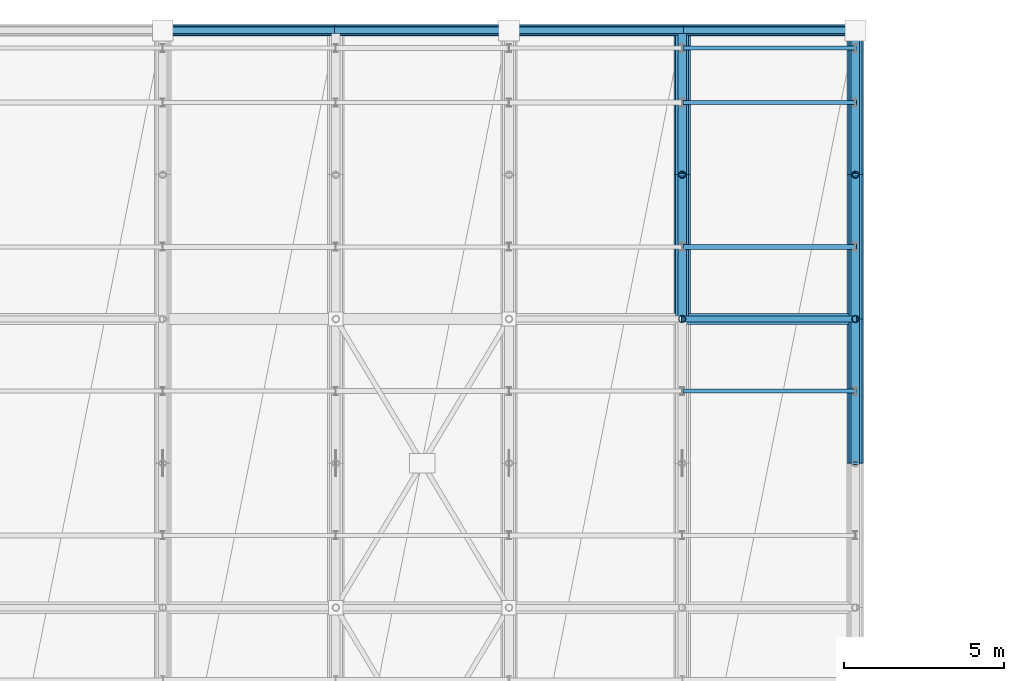
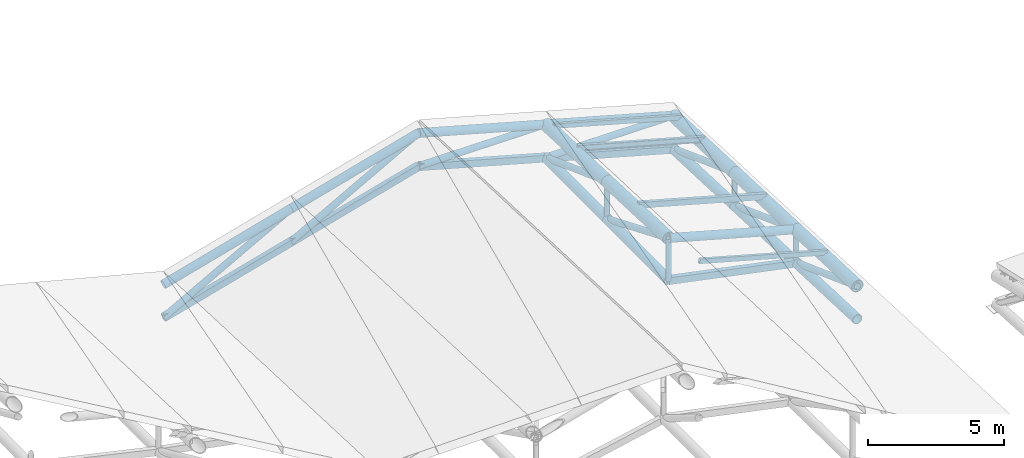
# One storey, part 52 of 109: 27 members, 10 beams.
"""IFC4 building model written with IfcOpenShell, lengths in metres."""

from ifc_helpers import new_model, si_unit, direction, frame, origin, origin_2d, place, context, subcontext, project, spatial, hollow_rectangle, hollow_circle, i_section, extrude, material, material_profile, profile_set, type_object, element, save


model = new_model("IFC4")

# Units and contexts
model_context = context("Model", 3, precision=1e-05, world=origin(), true_north=direction((0.0, 1.0)))
body_context = subcontext(model_context, "Body", "Model", "MODEL_VIEW")
ifc_project = project(units=[si_unit("LENGTHUNIT", "METRE"), si_unit("AREAUNIT", "SQUARE_METRE"), si_unit("VOLUMEUNIT", "CUBIC_METRE"), si_unit("PLANEANGLEUNIT", "RADIAN"), si_unit("MASSUNIT", "GRAM", prefix="KILO")], contexts=[model_context])

# Site, building, storey
site_placement = place(None, origin())
site = spatial("IfcSite", under=ifc_project, at=site_placement, CompositionType="ELEMENT")
building_placement = place(site_placement, origin())
building = spatial("IfcBuilding", under=site, at=building_placement, Name="Suirenkawa Promenade Aquatics Centre", CompositionType="ELEMENT")
storey_placement = place(building_placement, frame((0.0, 0.0, 22.800048828125)))
storey = spatial("IfcBuildingStorey", under=building, at=storey_placement, Name="ROOF", CompositionType="ELEMENT", Elevation=22.800048828125)

# Beams
ifc_material = material(Name="Steel IS 2062 E350 (Grade 350)", Category="steel")
ifc_material_profile_1 = material_profile(ifc_material, hollow_circle(Radius=0.202880859375, WallThickness=0.01806640625, at=origin_2d()), Name="CHS 406x18", Category="steel")
ifc_profile_set_1 = profile_set([ifc_material_profile_1], Name="Steel IS 2062 E350 (Grade 350)")
beam_type_1 = type_object("IfcBeamType", Name="BT-BC-CHS406", PredefinedType="BEAM", material=ifc_profile_set_1)
for number, where, z_axis, x_axis, name in (
    (1, (149.39990234375, 113.39990234375, -10.31103515625), (0.0, 0.999997019781, 0.002441398974), (-1.0, 0.0, 0.0), "ROOF TRUSS V1 bottom chord BC-01 BM-2364"),
    (2, (149.39990234375, 117.89990234375, -10.300048828125), (0.0, 0.999990104304, 0.004448740698), (-1.0, 0.0, 0.0), "ROOF TRUSS V1 bottom chord BC-01 BM-2366"),
):
    element("IfcBeam", number, at=place(storey_placement, frame(where, z_axis=z_axis, x_axis=x_axis)), inside=storey, type_object=beam_type_1, Name=name, PredefinedType="BEAM", context=body_context, shape_type="SweptSolid", body=[
        extrude(hollow_circle(Radius=0.202880859375, WallThickness=0.01806640625, at=origin_2d()), origin(), (0.0, 0.0, 1.0), 4.5),
    ])
for number, where, z_axis, x_axis, name in (
    (3, (154.800048828125, 108.89990234375, -11.22998046875), (0.0, 0.999173184279, -0.040656460949), (-1.0, 0.0, 0.0), "ROOF TRUSS V1 bottom chord BC-01 BM-2390"),
    (4, (154.800048828125, 113.39990234375, -11.4130859375), (0.0, 0.999164352475, -0.040872934124), (-1.0, 0.0, 0.0), "ROOF TRUSS V1 bottom chord BC-01 BM-2392"),
    (5, (154.800048828125, 117.89990234375, -11.59716796875), (0.0, 0.999175384927, -0.040602341759), (-1.0, 0.0, 0.0), "ROOF TRUSS V1 bottom chord BC-01 BM-2394"),
):
    element("IfcBeam", number, at=place(storey_placement, frame(where, z_axis=z_axis, x_axis=x_axis)), inside=storey, type_object=beam_type_1, Name=name, PredefinedType="BEAM", context=body_context, shape_type="SweptSolid", body=[
        extrude(hollow_circle(Radius=0.202880859375, WallThickness=0.01806640625, at=origin_2d()), origin(), (0.0, 0.0, 1.0), 4.503662109375),
    ])
ifc_material_profile_2 = material_profile(ifc_material, hollow_circle(Radius=0.25390625, WallThickness=0.02392578125, at=origin_2d()), Name="CHS 508x24", Category="steel")
ifc_profile_set_2 = profile_set([ifc_material_profile_2], Name="Steel IS 2062 E350 (Grade 350)")
beam_type_2 = type_object("IfcBeamType", Name="BT-TC-CHS508", PredefinedType="BEAM", material=ifc_profile_set_2)
for number, where, z_axis, x_axis, name in (
    (6, (149.39990234375, 113.39990234375, -8.43310546875), (0.0, 0.999166564808, -0.040818816368), (-1.0, 0.0, 0.0), "ROOF TRUSS V1 top chord TC-02 BM-2363"),
    (7, (149.39990234375, 117.89990234375, -8.616943359375), (0.0, 0.999173184279, -0.040656460949), (-1.0, 0.0, 0.0), "ROOF TRUSS V1 top chord TC-02 BM-2365"),
    (8, (154.800048828125, 108.89990234375, -9.75), (0.0, 0.999173184279, -0.040656460949), (-1.0, 0.0, 0.0), "ROOF TRUSS V1 top chord TC-02 BM-2389"),
    (9, (154.800048828125, 113.39990234375, -9.93310546875), (0.0, 0.999166564808, -0.040818816368), (-1.0, 0.0, 0.0), "ROOF TRUSS V1 top chord TC-02 BM-2391"),
    (10, (154.800048828125, 117.89990234375, -10.116943359375), (0.0, 0.999173184279, -0.040656460949), (-1.0, 0.0, 0.0), "ROOF TRUSS V1 top chord TC-02 BM-2393"),
):
    element("IfcBeam", number, at=place(storey_placement, frame(where, z_axis=z_axis, x_axis=x_axis)), inside=storey, type_object=beam_type_2, Name=name, PredefinedType="BEAM", context=body_context, shape_type="SweptSolid", body=[
        extrude(hollow_circle(Radius=0.25390625, WallThickness=0.02392578125, at=origin_2d()), origin(), (0.0, 0.0, 1.0), 4.503662109375),
    ])

# Members
ifc_material_profile_3 = material_profile(ifc_material, hollow_circle(Radius=0.177978515625, WallThickness=0.01611328125, at=origin_2d()), Name="CHS 356x16", Category="steel")
ifc_profile_set_3 = profile_set([ifc_material_profile_3], Name="Steel IS 2062 E350 (Grade 350)")
member_type_1 = type_object("IfcMemberType", Name="MT-CHORD-CHS356", PredefinedType="CHORD", material=ifc_profile_set_3)
member_1_placement = place(storey_placement, frame((133.199951171875, 122.39990234375, -10.300048828125), z_axis=(0.963519781844, 0.0, 0.267637123724), x_axis=(0.0, 1.0, 0.0)))
element("IfcMember", 11, at=member_1_placement, inside=storey, type_object=member_type_1, Name="ROOF TRUSS V1 eave top chord CH-02 MB-0676", PredefinedType="CHORD", context=body_context, shape_type="SweptSolid", body=[
    extrude(hollow_circle(Radius=0.177978515625, WallThickness=0.01611328125, at=origin_2d()), origin(), (0.0, 0.0, 1.0), 5.6044921875),
])
for number, where, z_axis, x_axis, name in (
    (12, (138.60009765625, 122.39990234375, -8.800048828125), (0.963516661409, 0.0, 0.267648357342), (0.0, 1.0, 0.0), "ROOF TRUSS V1 eave top chord CH-02 MB-0679"),
    (13, (144.0, 122.39990234375, -7.300048828125), (0.963516661409, 0.0, -0.267648357342), (0.0, 1.0, 0.0), "ROOF TRUSS V1 eave top chord CH-02 MB-0682"),
):
    element("IfcMember", number, at=place(storey_placement, frame(where, z_axis=z_axis, x_axis=x_axis)), inside=storey, type_object=member_type_1, Name=name, PredefinedType="CHORD", context=body_context, shape_type="SweptSolid", body=[
        extrude(hollow_circle(Radius=0.177978515625, WallThickness=0.01611328125, at=origin_2d()), origin(), (0.0, 0.0, 1.0), 5.604248046875),
    ])
for number, where, z_axis, x_axis, name in (
    (14, (149.39990234375, 122.39990234375, -8.800048828125), (0.963519781844, 0.0, -0.267637123724), (0.0, 1.0, 0.0), "ROOF TRUSS V1 eave top chord CH-02 MB-0685"),
    (15, (149.39990234375, 113.39990234375, -8.43310546875), (0.963519781844, 0.0, -0.267637123724), (0.0, 1.0, 0.0), "ROOF TRUSS V1 tie chord CH-02 MB-0924"),
):
    element("IfcMember", number, at=place(storey_placement, frame(where, z_axis=z_axis, x_axis=x_axis)), inside=storey, type_object=member_type_1, Name=name, PredefinedType="CHORD", context=body_context, shape_type="SweptSolid", body=[
        extrude(hollow_circle(Radius=0.177978515625, WallThickness=0.01611328125, at=origin_2d()), origin(), (0.0, 0.0, 1.0), 5.6044921875),
    ])
ifc_material_profile_4 = material_profile(ifc_material, hollow_rectangle(XDim=0.199951171875, YDim=0.300048828125, WallThickness=0.011962890625, at=origin_2d()), Name="RHS 300x200x12", Category="steel")
ifc_profile_set_4 = profile_set([ifc_material_profile_4], Name="Steel IS 2062 E350 (Grade 350)")
member_type_2 = type_object("IfcMemberType", Name="MT-CHORD-RHS300", PredefinedType="CHORD", material=ifc_profile_set_4)
member_2_placement = place(storey_placement, frame((133.199951171875, 122.39990234375, -11.780029296875), z_axis=(0.963519781844, 0.0, 0.267637123724), x_axis=(0.0, 1.0, 0.0)))
element("IfcMember", 16, at=member_2_placement, inside=storey, type_object=member_type_2, Name="ROOF TRUSS V1 eave bottom chord CH-03 MB-0677", PredefinedType="CHORD", context=body_context, shape_type="SweptSolid", body=[
    extrude(hollow_rectangle(XDim=0.199951171875, YDim=0.300048828125, WallThickness=0.011962890625, at=origin_2d()), origin(), (0.0, 0.0, 1.0), 5.6044921875),
])
for number, where, z_axis, x_axis, name in (
    (17, (138.60009765625, 122.39990234375, -10.280029296875), (0.963516661409, 0.0, 0.267648357342), (0.0, 1.0, 0.0), "ROOF TRUSS V1 eave bottom chord CH-03 MB-0680"),
    (18, (144.0, 122.39990234375, -8.780029296875), (0.963516661409, 0.0, -0.267648357342), (0.0, 1.0, 0.0), "ROOF TRUSS V1 eave bottom chord CH-03 MB-0683"),
):
    element("IfcMember", number, at=place(storey_placement, frame(where, z_axis=z_axis, x_axis=x_axis)), inside=storey, type_object=member_type_2, Name=name, PredefinedType="CHORD", context=body_context, shape_type="SweptSolid", body=[
        extrude(hollow_rectangle(XDim=0.199951171875, YDim=0.300048828125, WallThickness=0.011962890625, at=origin_2d()), origin(), (0.0, 0.0, 1.0), 5.604248046875),
    ])
member_3_placement = place(storey_placement, frame((149.39990234375, 122.39990234375, -10.280029296875), z_axis=(0.963519781844, 0.0, -0.267637123724), x_axis=(0.0, 1.0, 0.0)))
element("IfcMember", 19, at=member_3_placement, inside=storey, type_object=member_type_2, Name="ROOF TRUSS V1 eave bottom chord CH-03 MB-0686", PredefinedType="CHORD", context=body_context, shape_type="SweptSolid", body=[
    extrude(hollow_rectangle(XDim=0.199951171875, YDim=0.300048828125, WallThickness=0.011962890625, at=origin_2d()), origin(), (0.0, 0.0, 1.0), 5.6044921875),
])
member_4_placement = place(storey_placement, frame((149.39990234375, 113.39990234375, -10.31103515625), z_axis=(0.979804767242, 0.0, -0.199956540501), x_axis=(0.0, 1.0, 0.0)))
element("IfcMember", 20, at=member_4_placement, inside=storey, type_object=member_type_2, Name="ROOF TRUSS V1 bottom tie CH-03 MB-0925", PredefinedType="CHORD", context=body_context, shape_type="SweptSolid", body=[
    extrude(hollow_rectangle(XDim=0.199951171875, YDim=0.300048828125, WallThickness=0.011962890625, at=origin_2d()), origin(), (0.0, 0.0, 1.0), 5.511474609375),
])
ifc_material_profile_5 = material_profile(ifc_material, i_section(OverallWidth=0.125, OverallDepth=0.25, WebThickness=0.007080078125, FlangeThickness=0.012939453125, at=origin_2d()), Name="ISMB 250", Category="steel")
ifc_profile_set_5 = profile_set([ifc_material_profile_5], Name="Steel IS 2062 E350 (Grade 350)")
member_type_3 = type_object("IfcMemberType", Name="MT-PURLIN-ISMB250", PredefinedType="PURLIN", material=ifc_profile_set_5)
member_5_placement = place(storey_placement, frame((149.39990234375, 120.14990234375, -8.47998046875), z_axis=(0.963519781844, 0.0, -0.267637123724), x_axis=(0.0, 1.0, 0.0)))
element("IfcMember", 21, at=member_5_placement, inside=storey, type_object=member_type_3, Name="ROOF TRUSS Roof purlin PU-04 MB-2403", PredefinedType="PURLIN", context=body_context, shape_type="SweptSolid", body=[
    extrude(i_section(OverallWidth=0.125, OverallDepth=0.25, WebThickness=0.007080078125, FlangeThickness=0.012939453125, at=origin_2d()), origin(), (0.0, 0.0, 1.0), 5.6044921875),
])
ifc_material_profile_6 = material_profile(ifc_material, hollow_rectangle(XDim=0.1201171875, YDim=0.199951171875, WallThickness=0.008056640625, at=origin_2d()), Name="RHS 200x120x8", Category="steel")
ifc_profile_set_6 = profile_set([ifc_material_profile_6], Name="Steel IS 2062 E350 (Grade 350)")
member_type_4 = type_object("IfcMemberType", Name="MT-PURLIN-RHS200", PredefinedType="PURLIN", material=ifc_profile_set_6)
for number, where, z_axis, x_axis, name in (
    (22, (149.39990234375, 111.14990234375, -8.088134765625), (0.963519781844, 0.0, -0.267637123724), (0.0, 1.0, 0.0), "ROOF TRUSS Roof purlin PU-02 MB-2399"),
    (23, (149.39990234375, 121.85009765625, -8.524169921875), (0.963519781844, 0.0, -0.267637123724), (0.0, 1.0, 0.0), "ROOF TRUSS Roof purlin PU-02 MB-2405"),
):
    element("IfcMember", number, at=place(storey_placement, frame(where, z_axis=z_axis, x_axis=x_axis)), inside=storey, type_object=member_type_4, Name=name, PredefinedType="PURLIN", context=body_context, shape_type="SweptSolid", body=[
        extrude(hollow_rectangle(XDim=0.1201171875, YDim=0.199951171875, WallThickness=0.008056640625, at=origin_2d()), origin(), (0.0, 0.0, 1.0), 5.6044921875),
    ])
ifc_material_profile_7 = material_profile(ifc_material, hollow_rectangle(XDim=0.14990234375, YDim=0.25, WallThickness=0.010009765625, at=origin_2d()), Name="RHS 250x150x10", Category="steel")
ifc_profile_set_7 = profile_set([ifc_material_profile_7], Name="Steel IS 2062 E350 (Grade 350)")
member_type_5 = type_object("IfcMemberType", Name="MT-PURLIN-RHS250", PredefinedType="PURLIN", material=ifc_profile_set_7)
member_6_placement = place(storey_placement, frame((149.39990234375, 115.64990234375, -8.297119140625), z_axis=(0.963519781844, 0.0, -0.267637123724), x_axis=(0.0, 1.0, 0.0)))
element("IfcMember", 24, at=member_6_placement, inside=storey, type_object=member_type_5, Name="ROOF TRUSS Roof purlin PU-03 MB-2401", PredefinedType="PURLIN", context=body_context, shape_type="SweptSolid", body=[
    extrude(hollow_rectangle(XDim=0.14990234375, YDim=0.25, WallThickness=0.010009765625, at=origin_2d()), origin(), (0.0, 0.0, 1.0), 5.6044921875),
])
ifc_material_profile_8 = material_profile(ifc_material, hollow_circle(Radius=0.110107421875, WallThickness=0.010009765625, at=origin_2d()), Name="CHS 220x10", Category="steel")
ifc_profile_set_8 = profile_set([ifc_material_profile_8], Name="Steel IS 2062 E350 (Grade 350)")
member_type_6 = type_object("IfcMemberType", Name="MT-WEB-CHS220", PredefinedType="BRACE", material=ifc_profile_set_8)
member_7_placement = place(storey_placement, frame((149.39990234375, 113.39990234375, -10.31103515625), z_axis=(0.0, 0.0, 1.0), x_axis=(1.0, 0.0, 0.0)))
element("IfcMember", 25, at=member_7_placement, inside=storey, type_object=member_type_6, Name="ROOF TRUSS V1 web post TD-01 MB-0539", PredefinedType="BRACE", context=body_context, shape_type="SweptSolid", body=[
    extrude(hollow_circle(Radius=0.110107421875, WallThickness=0.010009765625, at=origin_2d()), origin(), (0.0, 0.0, 1.0), 1.8779296875),
])
member_8_placement = place(storey_placement, frame((149.39990234375, 117.89990234375, -10.300048828125), z_axis=(0.0, 0.0, 1.0), x_axis=(1.0, 0.0, 0.0)))
element("IfcMember", 26, at=member_8_placement, inside=storey, type_object=member_type_6, Name="ROOF TRUSS V1 web post TD-01 MB-0540", PredefinedType="BRACE", context=body_context, shape_type="SweptSolid", body=[
    extrude(hollow_circle(Radius=0.110107421875, WallThickness=0.010009765625, at=origin_2d()), origin(), (0.0, 0.0, 1.0), 1.68310546875),
])
member_9_placement = place(storey_placement, frame((154.800048828125, 113.39990234375, -11.4130859375), z_axis=(0.0, 0.0, 1.0), x_axis=(1.0, 0.0, 0.0)))
element("IfcMember", 27, at=member_9_placement, inside=storey, type_object=member_type_6, Name="ROOF TRUSS V1 web post TD-01 MB-0566", PredefinedType="BRACE", context=body_context, shape_type="SweptSolid", body=[
    extrude(hollow_circle(Radius=0.110107421875, WallThickness=0.010009765625, at=origin_2d()), origin(), (0.0, 0.0, 1.0), 1.47998046875),
])
member_10_placement = place(storey_placement, frame((154.800048828125, 117.89990234375, -11.59716796875), z_axis=(0.0, 0.0, 1.0), x_axis=(1.0, 0.0, 0.0)))
element("IfcMember", 28, at=member_10_placement, inside=storey, type_object=member_type_6, Name="ROOF TRUSS V1 web post TD-01 MB-0567", PredefinedType="BRACE", context=body_context, shape_type="SweptSolid", body=[
    extrude(hollow_circle(Radius=0.110107421875, WallThickness=0.010009765625, at=origin_2d()), origin(), (0.0, 0.0, 1.0), 1.480224609375),
])
ifc_material_profile_9 = material_profile(ifc_material, hollow_circle(Radius=0.136962890625, WallThickness=0.011962890625, at=origin_2d()), Name="CHS 274x12", Category="steel")
ifc_profile_set_9 = profile_set([ifc_material_profile_9], Name="Steel IS 2062 E350 (Grade 350)")
member_type_7 = type_object("IfcMemberType", Name="MT-WEB-CHS274", PredefinedType="BRACE", material=ifc_profile_set_9)
member_11_placement = place(storey_placement, frame((149.39990234375, 113.39990234375, -8.43310546875), z_axis=(0.0, 0.923662957717, -0.383205872269), x_axis=(-1.0, 0.0, 0.0)))
element("IfcMember", 29, at=member_11_placement, inside=storey, type_object=member_type_7, Name="ROOF TRUSS V1 web diagonal TD-02 MB-0526", PredefinedType="BRACE", context=body_context, shape_type="SweptSolid", body=[
    extrude(hollow_circle(Radius=0.136962890625, WallThickness=0.011962890625, at=origin_2d()), origin(), (0.0, 0.0, 1.0), 4.871826171875),
])
for number, where, z_axis, x_axis, name in (
    (30, (149.39990234375, 117.89990234375, -8.616943359375), (0.0, 0.937991621065, -0.346657927664), (-1.0, 0.0, 0.0), "ROOF TRUSS V1 web diagonal TD-02 MB-0527"),
    (31, (154.800048828125, 108.89990234375, -9.75), (0.0, 0.937991621065, -0.346657927664), (-1.0, 0.0, 0.0), "ROOF TRUSS V1 web diagonal TD-02 MB-0552"),
):
    element("IfcMember", number, at=place(storey_placement, frame(where, z_axis=z_axis, x_axis=x_axis)), inside=storey, type_object=member_type_7, Name=name, PredefinedType="BRACE", context=body_context, shape_type="SweptSolid", body=[
        extrude(hollow_circle(Radius=0.136962890625, WallThickness=0.011962890625, at=origin_2d()), origin(), (0.0, 0.0, 1.0), 4.79736328125),
    ])
member_12_placement = place(storey_placement, frame((154.800048828125, 113.39990234375, -9.93310546875), z_axis=(0.0, 0.937925419525, -0.346837004095), x_axis=(-1.0, 0.0, 0.0)))
element("IfcMember", 32, at=member_12_placement, inside=storey, type_object=member_type_7, Name="ROOF TRUSS V1 web diagonal TD-02 MB-0553", PredefinedType="BRACE", context=body_context, shape_type="SweptSolid", body=[
    extrude(hollow_circle(Radius=0.136962890625, WallThickness=0.011962890625, at=origin_2d()), origin(), (0.0, 0.0, 1.0), 4.7978515625),
])
member_13_placement = place(storey_placement, frame((154.800048828125, 117.89990234375, -10.116943359375), z_axis=(0.0, 0.937991621065, -0.346657927664), x_axis=(-1.0, 0.0, 0.0)))
element("IfcMember", 33, at=member_13_placement, inside=storey, type_object=member_type_7, Name="ROOF TRUSS V1 web diagonal TD-02 MB-0554", PredefinedType="BRACE", context=body_context, shape_type="SweptSolid", body=[
    extrude(hollow_circle(Radius=0.136962890625, WallThickness=0.011962890625, at=origin_2d()), origin(), (0.0, 0.0, 1.0), 4.79736328125),
])
member_14_placement = place(storey_placement, frame((133.199951171875, 122.39990234375, -11.780029296875), z_axis=(0.875537268014, 0.0, 0.483150589691), x_axis=(0.0, 1.0, 0.0)))
element("IfcMember", 34, at=member_14_placement, inside=storey, type_object=member_type_7, Name="ROOF TRUSS V1 eave web diagonal TD-02 MB-0678", PredefinedType="BRACE", context=body_context, shape_type="SweptSolid", body=[
    extrude(hollow_circle(Radius=0.136962890625, WallThickness=0.011962890625, at=origin_2d()), origin(), (0.0, 0.0, 1.0), 6.167724609375),
])
member_15_placement = place(storey_placement, frame((138.60009765625, 122.39990234375, -10.280029296875), z_axis=(0.875528027487, 0.0, 0.483167334456), x_axis=(0.0, 1.0, 0.0)))
element("IfcMember", 35, at=member_15_placement, inside=storey, type_object=member_type_7, Name="ROOF TRUSS V1 eave web diagonal TD-02 MB-0681", PredefinedType="BRACE", context=body_context, shape_type="SweptSolid", body=[
    extrude(hollow_circle(Radius=0.136962890625, WallThickness=0.011962890625, at=origin_2d()), origin(), (0.0, 0.0, 1.0), 6.16748046875),
])
member_16_placement = place(storey_placement, frame((144.0, 122.39990234375, -8.780029296875), z_axis=(0.999993127709, 0.0, -0.00370736217), x_axis=(0.0, 1.0, 0.0)))
element("IfcMember", 36, at=member_16_placement, inside=storey, type_object=member_type_7, Name="ROOF TRUSS V1 eave web diagonal TD-02 MB-0684", PredefinedType="BRACE", context=body_context, shape_type="SweptSolid", body=[
    extrude(hollow_circle(Radius=0.136962890625, WallThickness=0.011962890625, at=origin_2d()), origin(), (0.0, 0.0, 1.0), 5.39990234375),
])
member_17_placement = place(storey_placement, frame((149.39990234375, 122.39990234375, -10.280029296875), z_axis=(0.999993128331, 0.0, -0.003707194562), x_axis=(0.0, 1.0, 0.0)))
element("IfcMember", 37, at=member_17_placement, inside=storey, type_object=member_type_7, Name="ROOF TRUSS V1 eave web diagonal TD-02 MB-0687", PredefinedType="BRACE", context=body_context, shape_type="SweptSolid", body=[
    extrude(hollow_circle(Radius=0.136962890625, WallThickness=0.011962890625, at=origin_2d()), origin(), (0.0, 0.0, 1.0), 5.400146484375),
])

save(model, "model.ifc")
